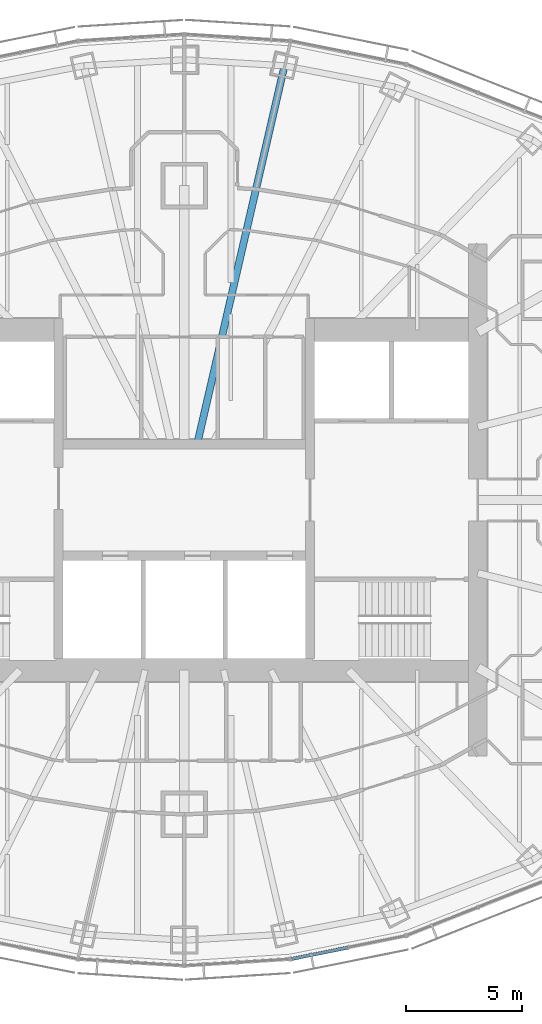
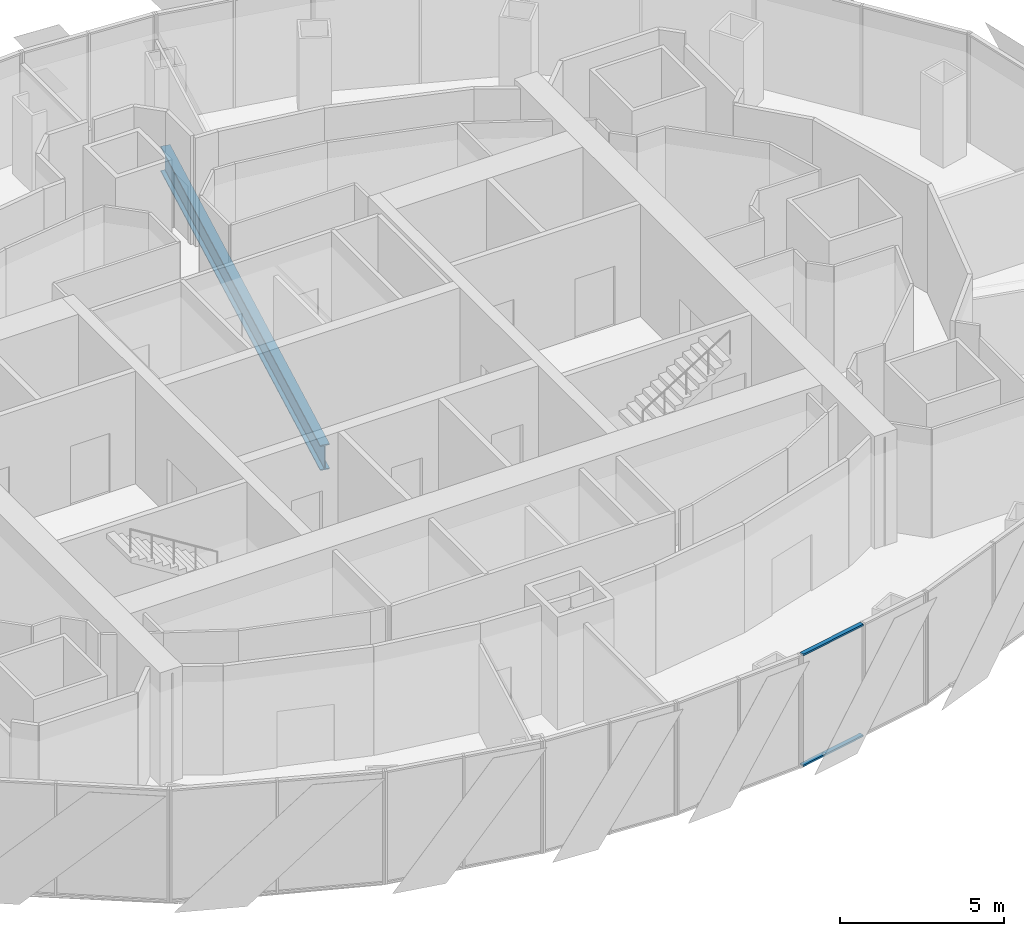
# One storey, part 5 of 18: 2 members, 1 beam, 1 element without a shape of its own.
"""IFC4 building model written with IfcOpenShell, lengths in metres."""

from ifc_helpers import new_model, si_unit, direction, frame, origin, origin_2d, place, context, subcontext, project, spatial, rectangle, i_section, extrude, material, material_profile, profile_set, type_object, element, aggregate, save


model = new_model("IFC4")

# Units and contexts
model_context = context("Model", 3, precision=1e-05, world=origin(), true_north=direction((0.0, 1.0)))
body_context = subcontext(model_context, "Body", "Model", "MODEL_VIEW")
ifc_project = project(units=[si_unit("LENGTHUNIT", "METRE"), si_unit("AREAUNIT", "SQUARE_METRE"), si_unit("VOLUMEUNIT", "CUBIC_METRE"), si_unit("PLANEANGLEUNIT", "RADIAN"), si_unit("MASSUNIT", "GRAM", prefix="KILO")], contexts=[model_context])

# Site, building, storey
site_placement = place(None, origin())
site = spatial("IfcSite", under=ifc_project, at=site_placement, CompositionType="ELEMENT")
building_placement = place(site_placement, origin())
building = spatial("IfcBuilding", under=site, at=building_placement, Name="Lantaw Convention Tower", CompositionType="ELEMENT")
storey_placement = place(building_placement, frame((0.0, 0.0, 262.0)))
storey = spatial("IfcBuildingStorey", under=building, at=storey_placement, Name="L61", CompositionType="ELEMENT", Elevation=262.0)

# Beam
ifc_material_1 = material(Name="Steel ASTM A992", Category="steel")
ifc_material_profile_1 = material_profile(ifc_material_1, i_section(OverallWidth=0.307373046875, OverallDepth=0.9423828125, WebThickness=0.022216796875, FlangeThickness=0.039794921875, FilletRadius=0.0126953125, at=origin_2d()), Name="W36X232")
ifc_profile_set_1 = profile_set([ifc_material_profile_1], Name="Steel ASTM A992")
beam_type = type_object("IfcBeamType", Name="Beam G W36X232", PredefinedType="BEAM", material=ifc_profile_set_1)
beam_placement = place(storey_placement, frame((0.55419921875, 2.39990234375, -0.62109375), z_axis=(0.224948287002, 0.974370703672, 0.0), x_axis=(-0.974370703672, 0.224948287002, 0.0)))
element("IfcBeam", 1, at=beam_placement, inside=storey, type_object=beam_type, Name="Floor girder on ray 6", PredefinedType="BEAM", context=body_context, shape_type="SweptSolid", body=[
    extrude(i_section(OverallWidth=0.307373046875, OverallDepth=0.9423828125, WebThickness=0.022216796875, FlangeThickness=0.039794921875, FilletRadius=0.0126953125, at=origin_2d()), origin(), (0.0, 0.0, 1.0), 16.66943359375),
])

# Curtain wall, members
ifc_material_2 = material(Name="Aluminium framed curtain wall", Category="aluminium")
curtain_wall_type = type_object("IfcCurtainWallType", Name="Office curtain wall high rise, pale aluminium", PredefinedType="USERDEFINED", material=ifc_material_2)
curtain_wall_placement = place(storey_placement, origin())
curtain_wall = element("IfcCurtainWall", 2, at=curtain_wall_placement, inside=storey, type_object=curtain_wall_type, Name="Office curtain wall high rise, pale aluminium L61", ObjectType="UNITISED CURTAIN WALL", PredefinedType="USERDEFINED")
ifc_material_3 = material(Name="Aluminium 6063-T6", Category="aluminium")
ifc_material_profile_2 = material_profile(ifc_material_3, rectangle(XDim=0.14990234375, YDim=0.06494140625, at=origin_2d()), Name="CW-O2 transom 65x150")
ifc_profile_set_2 = profile_set([ifc_material_profile_2], Name="Aluminium 6063-T6")
member_type = type_object("IfcMemberType", Name="CW-O2 transom 65x150", PredefinedType="USERDEFINED", material=ifc_profile_set_2)
member_1_placement = place(storey_placement, frame((4.614990234375, -19.700927734375, -0.117431640625), z_axis=(0.980380354178, 0.197115096178, 0.0), x_axis=(-0.197115096178, 0.980380354178, 0.0)))
member_1 = element("IfcMember", 3, at=member_1_placement, type_object=member_type, Name="CW-O2 transom 1.1", ObjectType="TRANSOM", PredefinedType="USERDEFINED", context=body_context, shape_type="SweptSolid", body=[
    extrude(rectangle(XDim=0.14990234375, YDim=0.06494140625, at=origin_2d()), origin(), (0.0, 0.0, 1.0), 2.443603515625),
])
member_2_placement = place(storey_placement, frame((4.614990234375, -19.700927734375, 4.017578125), z_axis=(0.980380354178, 0.197115096178, 0.0), x_axis=(-0.197115096178, 0.980380354178, 0.0)))
member_2 = element("IfcMember", 4, at=member_2_placement, type_object=member_type, Name="CW-O2 transom 1.2", ObjectType="TRANSOM", PredefinedType="USERDEFINED", context=body_context, shape_type="SweptSolid", body=[
    extrude(rectangle(XDim=0.14990234375, YDim=0.06494140625, at=origin_2d()), origin(), (0.0, 0.0, 1.0), 2.443603515625),
])
aggregate(curtain_wall, [member_1, member_2])

save(model, "model.ifc")
